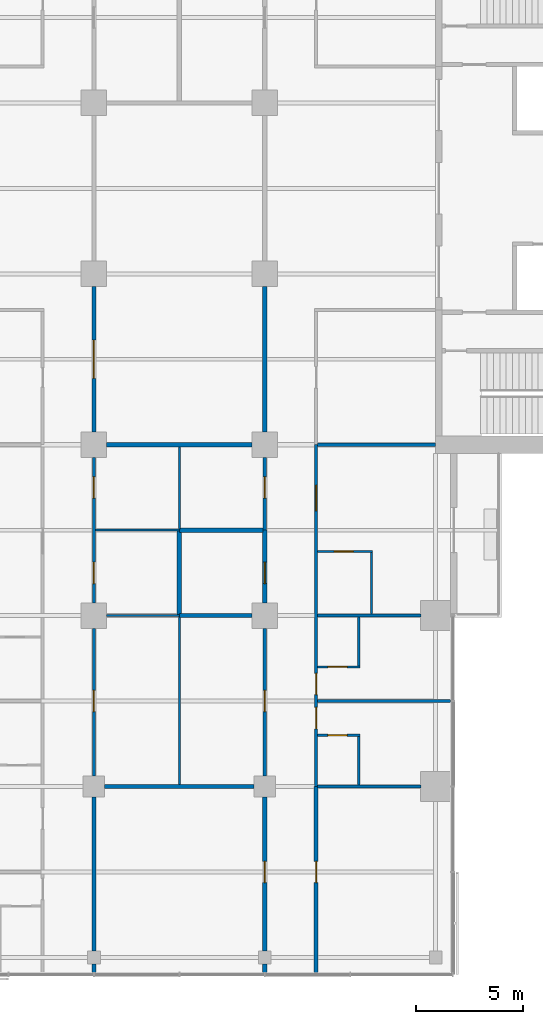
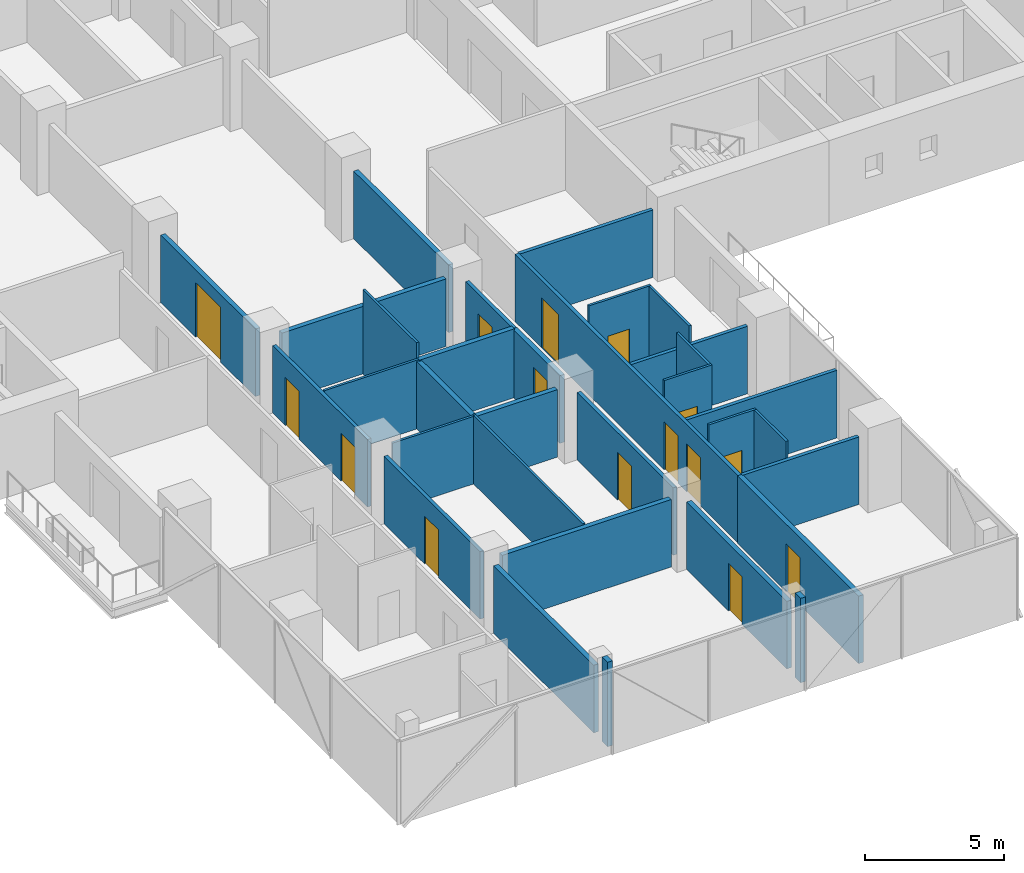
# One storey, part 16 of 27: 32 walls, 15 doors, 15 openings.
"""IFC4 building model written with IfcOpenShell, lengths in metres."""

from ifc_helpers import new_model, si_unit, direction, frame, frame_2d, origin, place, context, subcontext, project, spatial, rectangle, extrude, material, layer, layer_set, type_object, element, fill, save


model = new_model("IFC4")

# Units and contexts
model_context = context("Model", 3, precision=1e-05, world=origin(), true_north=direction((0.0, 1.0)))
body_context = subcontext(model_context, "Body", "Model", "MODEL_VIEW")
ifc_project = project(units=[si_unit("LENGTHUNIT", "METRE"), si_unit("AREAUNIT", "SQUARE_METRE"), si_unit("VOLUMEUNIT", "CUBIC_METRE"), si_unit("PLANEANGLEUNIT", "RADIAN"), si_unit("MASSUNIT", "GRAM", prefix="KILO")], contexts=[model_context])

# Site, building, storey
site_placement = place(None, origin())
site = spatial("IfcSite", under=ifc_project, at=site_placement, CompositionType="ELEMENT")
building_placement = place(site_placement, origin())
building = spatial("IfcBuilding", under=site, at=building_placement, Name="Crosswind Convention Tower", CompositionType="ELEMENT")
storey_placement = place(building_placement, frame((0.0, 0.0, 75.699951171875)))
storey = spatial("IfcBuildingStorey", under=building, at=storey_placement, Name="L13", CompositionType="ELEMENT", Elevation=75.699951171875)

# Walls
ifc_material_1 = material(Name="Concrete blockwork", Category="masonry")
ifc_layer_1 = layer(ifc_material_1, 0.199951171875)
ifc_layer_set_1 = layer_set([ifc_layer_1], Name="COMPARTMENT WALL 200")
wall_type_1 = type_object("IfcWallType", Name="COMPARTMENT WALL 200", PredefinedType="SOLIDWALL", material=ifc_layer_set_1)
wall_1_placement = place(storey_placement, frame((125.0, 80.0, 0.0), z_axis=(0.0, 0.0, 1.0), x_axis=(1.0, 0.0, 0.0)))
element("IfcWall", 1, at=wall_1_placement, inside=storey, type_object=wall_type_1, Name="Compartment Wall 12", PredefinedType="SOLIDWALL", context=body_context, shape_type="SweptSolid", body=[
    extrude(rectangle(XDim=3.39990234375, YDim=0.199951171875, at=frame_2d((1.699951171875, 0.0))), origin(), (0.0, 0.0, 1.0), 2.9599609375),
])
wall_2_placement = place(storey_placement, frame((125.0, 84.0, 0.0), z_axis=(0.0, 0.0, 1.0), x_axis=(1.0, 0.0, 0.0)))
element("IfcWall", 2, at=wall_2_placement, inside=storey, type_object=wall_type_1, Name="Compartment Wall 16", PredefinedType="SOLIDWALL", context=body_context, shape_type="SweptSolid", body=[
    extrude(rectangle(XDim=3.925048828125, YDim=0.199951171875, at=frame_2d((1.96240234375, 0.0))), origin(), (0.0, 0.0, 1.0), 3.013671875),
])
wall_3_placement = place(storey_placement, frame((125.0, 80.050048828125, 0.0), z_axis=(0.0, 0.0, 1.0), x_axis=(0.0, 1.0, 0.0)))
element("IfcWall", 3, at=wall_3_placement, inside=storey, type_object=wall_type_1, Name="Compartment Wall 91", PredefinedType="SOLIDWALL", context=body_context, shape_type="SweptSolid", body=[
    extrude(rectangle(XDim=3.89990234375, YDim=0.199951171875, at=frame_2d((1.949951171875, 0.0))), origin(), (0.0, 0.0, 1.0), 2.9599609375),
])

# Wall, opening, door
wall_4_placement = place(storey_placement, frame((129.0, 80.60009765625, 0.0), z_axis=(0.0, 0.0, 1.0), x_axis=(0.0, 1.0, 0.0)))
wall_4 = element("IfcWall", 4, at=wall_4_placement, inside=storey, type_object=wall_type_1, Name="Compartment Wall 99", PredefinedType="SOLIDWALL", context=body_context, shape_type="SweptSolid", body=[
    extrude(rectangle(XDim=3.39990234375, YDim=0.199951171875, at=frame_2d((1.699951171875, 0.0))), origin(), (0.0, 0.0, 1.0), 2.9599609375),
])
opening_1_placement = place(wall_4_placement, frame((0.89990234375, 0.0, 0.0)))
opening_1 = element("IfcOpeningElement", 5, at=opening_1_placement, cuts=wall_4, Name="Opening 13.053", PredefinedType="OPENING", context=body_context, shape_type="SweptSolid", body=[
    extrude(rectangle(XDim=1.0, YDim=2.199951171875, at=frame_2d((0.5, 1.10009765625))), frame((0.0, 0.10986328125, 0.0), z_axis=(0.0, -1.0, 0.0), x_axis=(1.0, 0.0, 0.0)), (0.0, 0.0, 1.0), 0.219970703125),
])
ifc_material_2 = material(Name="Steel fire door", Category="steel")
door_type_1 = type_object("IfcDoorType", Name="PLANT ROOM DOOR 1000X2200", OperationType="NOTDEFINED", PredefinedType="DOOR", material=ifc_material_2)
door_1_placement = place(opening_1_placement, origin())
door_1 = element("IfcDoor", 6, at=door_1_placement, inside=storey, type_object=door_type_1, Name="Door 13.053", ObjectType="D6", OperationType="SINGLE_SWING_LEFT", OverallHeight=2.199951171875, OverallWidth=1.0, PredefinedType="DOOR", context=body_context, shape_type="SweptSolid", body=[
    extrude(rectangle(XDim=1.0, YDim=2.199951171875, at=frame_2d((0.5, 1.10009765625))), frame((0.0, 0.02490234375, 0.0), z_axis=(0.0, -1.0, 0.0), x_axis=(1.0, 0.0, 0.0)), (0.0, 0.0, 1.0), 0.050048828125),
])
fill(opening_1, door_1)

ifc_material_3 = material(Name="Plasterboard partition", Category="gypsum")
ifc_layer_2 = layer(ifc_material_3, 0.14990234375)
ifc_layer_set_2 = layer_set([ifc_layer_2], Name="CORRIDOR WALL 150")
wall_type_2 = type_object("IfcWallType", Name="CORRIDOR WALL 150", PredefinedType="PARTITIONING", material=ifc_layer_set_2)
wall_5_placement = place(storey_placement, frame((121.0, 72.5, 0.0), z_axis=(0.0, 0.0, 1.0), x_axis=(0.0, 1.0, 0.0)))
wall_5 = element("IfcWall", 7, at=wall_5_placement, inside=storey, type_object=wall_type_2, Name="Corridor Wall 81", PredefinedType="PARTITIONING", context=body_context, shape_type="SweptSolid", body=[
    extrude(rectangle(XDim=6.89990234375, YDim=0.14990234375, at=frame_2d((3.449951171875, 0.0))), origin(), (0.0, 0.0, 1.0), 2.9599609375),
])
opening_2_placement = place(wall_5_placement, frame((3.0, 0.0, 0.0)))
opening_2 = element("IfcOpeningElement", 8, at=opening_2_placement, cuts=wall_5, Name="Opening 13.049", PredefinedType="OPENING", context=body_context, shape_type="SweptSolid", body=[
    extrude(rectangle(XDim=1.0, YDim=2.10009765625, at=frame_2d((0.5, 1.050048828125))), frame((0.0, 0.0849609375, 0.0), z_axis=(0.0, -1.0, 0.0), x_axis=(1.0, 0.0, 0.0)), (0.0, 0.0, 1.0), 0.169921875),
])
ifc_material_4 = material(Name="Timber fire door", Category="wood")
door_type_2 = type_object("IfcDoorType", Name="SERVICE ROOM DOOR 1000X2100", OperationType="NOTDEFINED", PredefinedType="DOOR", material=ifc_material_4)
door_2_placement = place(opening_2_placement, frame((1.0, 0.0, 0.0), z_axis=(0.0, 0.0, 1.0), x_axis=(-1.0, 0.0, 0.0)))
door_2 = element("IfcDoor", 9, at=door_2_placement, inside=storey, type_object=door_type_2, Name="Door 13.049", ObjectType="D3", OperationType="SINGLE_SWING_LEFT", OverallHeight=2.10009765625, OverallWidth=1.0, PredefinedType="DOOR", context=body_context, shape_type="SweptSolid", body=[
    extrude(rectangle(XDim=1.0, YDim=2.10009765625, at=frame_2d((0.5, 1.050048828125))), frame((0.0, 0.02490234375, 0.0), z_axis=(0.0, -1.0, 0.0), x_axis=(1.0, 0.0, 0.0)), (0.0, 0.0, 1.0), 0.050048828125),
])
fill(opening_2, door_2)

# Wall, openings, doors
wall_6_placement = place(storey_placement, frame((121.0, 80.60009765625, 0.0), z_axis=(0.0, 0.0, 1.0), x_axis=(0.0, 1.0, 0.0)))
wall_6 = element("IfcWall", 10, at=wall_6_placement, inside=storey, type_object=wall_type_2, Name="Corridor Wall 82", PredefinedType="PARTITIONING", context=body_context, shape_type="SweptSolid", body=[
    extrude(rectangle(XDim=6.7998046875, YDim=0.14990234375, at=frame_2d((3.39990234375, 0.0))), origin(), (0.0, 0.0, 1.0), 2.9599609375),
])
opening_3_placement = place(wall_6_placement, frame((0.89990234375, 0.0, 0.0)))
opening_3 = element("IfcOpeningElement", 11, at=opening_3_placement, cuts=wall_6, Name="Opening 13.051", PredefinedType="OPENING", context=body_context, shape_type="SweptSolid", body=[
    extrude(rectangle(XDim=1.0, YDim=2.10009765625, at=frame_2d((0.5, 1.050048828125))), frame((0.0, 0.0849609375, 0.0), z_axis=(0.0, -1.0, 0.0), x_axis=(1.0, 0.0, 0.0)), (0.0, 0.0, 1.0), 0.169921875),
])
opening_4_placement = place(wall_6_placement, frame((4.89990234375, 0.0, 0.0)))
opening_4 = element("IfcOpeningElement", 12, at=opening_4_placement, cuts=wall_6, Name="Opening 13.052", PredefinedType="OPENING", context=body_context, shape_type="SweptSolid", body=[
    extrude(rectangle(XDim=1.0, YDim=2.10009765625, at=frame_2d((0.5, 1.050048828125))), frame((0.0, 0.0849609375, 0.0), z_axis=(0.0, -1.0, 0.0), x_axis=(1.0, 0.0, 0.0)), (0.0, 0.0, 1.0), 0.169921875),
])
door_3_placement = place(opening_3_placement, frame((1.0, 0.0, 0.0), z_axis=(0.0, 0.0, 1.0), x_axis=(-1.0, 0.0, 0.0)))
door_3 = element("IfcDoor", 13, at=door_3_placement, inside=storey, type_object=door_type_2, Name="Door 13.051", ObjectType="D3", OperationType="SINGLE_SWING_RIGHT", OverallHeight=2.10009765625, OverallWidth=1.0, PredefinedType="DOOR", context=body_context, shape_type="SweptSolid", body=[
    extrude(rectangle(XDim=1.0, YDim=2.10009765625, at=frame_2d((0.5, 1.050048828125))), frame((0.0, 0.02490234375, 0.0), z_axis=(0.0, -1.0, 0.0), x_axis=(1.0, 0.0, 0.0)), (0.0, 0.0, 1.0), 0.050048828125),
])
fill(opening_3, door_3)
door_4_placement = place(opening_4_placement, frame((1.0, 0.0, 0.0), z_axis=(0.0, 0.0, 1.0), x_axis=(-1.0, 0.0, 0.0)))
door_4 = element("IfcDoor", 14, at=door_4_placement, inside=storey, type_object=door_type_2, Name="Door 13.052", ObjectType="D3", OperationType="SINGLE_SWING_LEFT", OverallHeight=2.10009765625, OverallWidth=1.0, PredefinedType="DOOR", context=body_context, shape_type="SweptSolid", body=[
    extrude(rectangle(XDim=1.0, YDim=2.10009765625, at=frame_2d((0.5, 1.050048828125))), frame((0.0, 0.02490234375, 0.0), z_axis=(0.0, -1.0, 0.0), x_axis=(1.0, 0.0, 0.0)), (0.0, 0.0, 1.0), 0.050048828125),
])
fill(opening_4, door_4)

# Wall, opening, door
wall_7_placement = place(storey_placement, frame((129.0, 72.5, 0.0), z_axis=(0.0, 0.0, 1.0), x_axis=(0.0, 1.0, 0.0)))
wall_7 = element("IfcWall", 15, at=wall_7_placement, inside=storey, type_object=wall_type_2, Name="Corridor Wall 98", PredefinedType="PARTITIONING", context=body_context, shape_type="SweptSolid", body=[
    extrude(rectangle(XDim=6.89990234375, YDim=0.14990234375, at=frame_2d((3.449951171875, 0.0))), origin(), (0.0, 0.0, 1.0), 2.9599609375),
])
opening_5_placement = place(wall_7_placement, frame((3.0, 0.0, 0.0)))
opening_5 = element("IfcOpeningElement", 16, at=opening_5_placement, cuts=wall_7, Name="Opening 13.050", PredefinedType="OPENING", context=body_context, shape_type="SweptSolid", body=[
    extrude(rectangle(XDim=1.0, YDim=2.10009765625, at=frame_2d((0.5, 1.050048828125))), frame((0.0, 0.0849609375, 0.0), z_axis=(0.0, -1.0, 0.0), x_axis=(1.0, 0.0, 0.0)), (0.0, 0.0, 1.0), 0.169921875),
])
door_5_placement = place(opening_5_placement, origin())
door_5 = element("IfcDoor", 17, at=door_5_placement, inside=storey, type_object=door_type_2, Name="Door 13.050", ObjectType="D3", OperationType="SINGLE_SWING_RIGHT", OverallHeight=2.10009765625, OverallWidth=1.0, PredefinedType="DOOR", context=body_context, shape_type="SweptSolid", body=[
    extrude(rectangle(XDim=1.0, YDim=2.10009765625, at=frame_2d((0.5, 1.050048828125))), frame((0.0, 0.02490234375, 0.0), z_axis=(0.0, -1.0, 0.0), x_axis=(1.0, 0.0, 0.0)), (0.0, 0.0, 1.0), 0.050048828125),
])
fill(opening_5, door_5)

wall_8_placement = place(storey_placement, frame((129.0, 84.0, 0.0), z_axis=(0.0, 0.0, 1.0), x_axis=(0.0, 1.0, 0.0)))
wall_8 = element("IfcWall", 18, at=wall_8_placement, inside=storey, type_object=wall_type_2, Name="Corridor Wall 100", PredefinedType="PARTITIONING", context=body_context, shape_type="SweptSolid", body=[
    extrude(rectangle(XDim=3.39990234375, YDim=0.14990234375, at=frame_2d((1.699951171875, 0.0))), origin(), (0.0, 0.0, 1.0), 2.9599609375),
])
opening_6_placement = place(wall_8_placement, frame((1.5, 0.0, 0.0)))
opening_6 = element("IfcOpeningElement", 19, at=opening_6_placement, cuts=wall_8, Name="Opening 13.054", PredefinedType="OPENING", context=body_context, shape_type="SweptSolid", body=[
    extrude(rectangle(XDim=1.0, YDim=2.10009765625, at=frame_2d((0.5, 1.050048828125))), frame((0.0, 0.0849609375, 0.0), z_axis=(0.0, -1.0, 0.0), x_axis=(1.0, 0.0, 0.0)), (0.0, 0.0, 1.0), 0.169921875),
])
door_6_placement = place(opening_6_placement, origin())
door_6 = element("IfcDoor", 20, at=door_6_placement, inside=storey, type_object=door_type_2, Name="Door 13.054", ObjectType="D3", OperationType="SINGLE_SWING_RIGHT", OverallHeight=2.10009765625, OverallWidth=1.0, PredefinedType="DOOR", context=body_context, shape_type="SweptSolid", body=[
    extrude(rectangle(XDim=1.0, YDim=2.10009765625, at=frame_2d((0.5, 1.050048828125))), frame((0.0, 0.02490234375, 0.0), z_axis=(0.0, -1.0, 0.0), x_axis=(1.0, 0.0, 0.0)), (0.0, 0.0, 1.0), 0.050048828125),
])
fill(opening_6, door_6)

# Walls
ifc_material_5 = material(Name="Acoustic plasterboard partition", Category="gypsum")
ifc_layer_3 = layer(ifc_material_5, 0.14990234375)
ifc_layer_set_3 = layer_set([ifc_layer_3], Name="GUEST ROOM WALL 150")
wall_type_3 = type_object("IfcWallType", Name="GUEST ROOM WALL 150", PredefinedType="PARTITIONING", material=ifc_layer_set_3)
wall_9_placement = place(storey_placement, frame((131.47509765625, 72.0, 0.0), z_axis=(0.0, 0.0, 1.0), x_axis=(1.0, 0.0, 0.0)))
element("IfcWall", 21, at=wall_9_placement, inside=storey, type_object=wall_type_3, Name="Guest Room Wall 4", PredefinedType="PARTITIONING", context=body_context, shape_type="SweptSolid", body=[
    extrude(rectangle(XDim=4.824951171875, YDim=0.14990234375, at=frame_2d((2.41259765625, 0.0))), origin(), (0.0, 0.0, 1.0), 2.9599609375),
])
wall_10_placement = place(storey_placement, frame((131.47509765625, 76.0, 0.0), z_axis=(0.0, 0.0, 1.0), x_axis=(1.0, 0.0, 0.0)))
element("IfcWall", 22, at=wall_10_placement, inside=storey, type_object=wall_type_3, Name="Guest Room Wall 8", PredefinedType="PARTITIONING", context=body_context, shape_type="SweptSolid", body=[
    extrude(rectangle(XDim=6.224853515625, YDim=0.14990234375, at=frame_2d((3.1123046875, 0.0))), origin(), (0.0, 0.0, 1.0), 2.962890625),
])
wall_11_placement = place(storey_placement, frame((131.47509765625, 80.0, 0.0), z_axis=(0.0, 0.0, 1.0), x_axis=(1.0, 0.0, 0.0)))
element("IfcWall", 23, at=wall_11_placement, inside=storey, type_object=wall_type_3, Name="Guest Room Wall 13", PredefinedType="PARTITIONING", context=body_context, shape_type="SweptSolid", body=[
    extrude(rectangle(XDim=4.824951171875, YDim=0.14990234375, at=frame_2d((2.41259765625, 0.0))), origin(), (0.0, 0.0, 1.0), 2.9599609375),
])
wall_12_placement = place(storey_placement, frame((131.47509765625, 88.0, 0.0), z_axis=(0.0, 0.0, 1.0), x_axis=(1.0, 0.0, 0.0)))
element("IfcWall", 24, at=wall_12_placement, inside=storey, type_object=wall_type_3, Name="Guest Room Wall 19", PredefinedType="PARTITIONING", context=body_context, shape_type="SweptSolid", body=[
    extrude(rectangle(XDim=5.52490234375, YDim=0.14990234375, at=frame_2d((2.762451171875, 0.0))), origin(), (0.0, 0.0, 1.0), 2.95654296875),
])

# Wall, openings, doors
wall_13_placement = place(storey_placement, frame((131.39990234375, 72.0, 0.0), z_axis=(0.0, 0.0, 1.0), x_axis=(0.0, 1.0, 0.0)))
wall_13 = element("IfcWall", 25, at=wall_13_placement, inside=storey, type_object=wall_type_3, Name="Guest Room Wall 109", PredefinedType="PARTITIONING", context=body_context, shape_type="SweptSolid", body=[
    extrude(rectangle(XDim=16.0, YDim=0.14990234375, at=frame_2d((8.0, 0.0))), origin(), (0.0, 0.0, 1.0), 2.95654296875),
])
opening_7_placement = place(wall_13_placement, frame((12.89990234375, 0.0, 0.0)))
opening_7 = element("IfcOpeningElement", 26, at=opening_7_placement, cuts=wall_13, Name="Opening 13.020", PredefinedType="OPENING", context=body_context, shape_type="SweptSolid", body=[
    extrude(rectangle(XDim=1.199951171875, YDim=2.199951171875, at=frame_2d((0.60009765625, 1.10009765625))), frame((0.0, 0.0849609375, 0.0), z_axis=(0.0, -1.0, 0.0), x_axis=(1.0, 0.0, 0.0)), (0.0, 0.0, 1.0), 0.169921875),
])
opening_8_placement = place(wall_13_placement, frame((4.300048828125, 0.0, 0.0)))
opening_8 = element("IfcOpeningElement", 27, at=opening_8_placement, cuts=wall_13, Name="Opening 13.022", PredefinedType="OPENING", context=body_context, shape_type="SweptSolid", body=[
    extrude(rectangle(XDim=1.0, YDim=2.10009765625, at=frame_2d((0.5, 1.050048828125))), frame((0.0, 0.0849609375, 0.0), z_axis=(0.0, -1.0, 0.0), x_axis=(1.0, 0.0, 0.0)), (0.0, 0.0, 1.0), 0.169921875),
])
opening_9_placement = place(wall_13_placement, frame((2.699951171875, 0.0, 0.0)))
opening_9 = element("IfcOpeningElement", 28, at=opening_9_placement, cuts=wall_13, Name="Opening 13.024", PredefinedType="OPENING", context=body_context, shape_type="SweptSolid", body=[
    extrude(rectangle(XDim=1.0, YDim=2.10009765625, at=frame_2d((0.5, 1.050048828125))), frame((0.0, 0.0849609375, 0.0), z_axis=(0.0, -1.0, 0.0), x_axis=(1.0, 0.0, 0.0)), (0.0, 0.0, 1.0), 0.169921875),
])
door_type_3 = type_object("IfcDoorType", Name="GUEST ROOM DOOR 1000X2100", OperationType="NOTDEFINED", PredefinedType="DOOR", material=ifc_material_4)
door_7_placement = place(opening_8_placement, frame((1.0, 0.0, 0.0), z_axis=(0.0, 0.0, 1.0), x_axis=(-1.0, 0.0, 0.0)))
door_7 = element("IfcDoor", 29, at=door_7_placement, inside=storey, type_object=door_type_3, Name="Door 13.022", ObjectType="D1", OperationType="SINGLE_SWING_LEFT", OverallHeight=2.10009765625, OverallWidth=1.0, PredefinedType="DOOR", context=body_context, shape_type="SweptSolid", body=[
    extrude(rectangle(XDim=1.0, YDim=2.10009765625, at=frame_2d((0.5, 1.050048828125))), frame((0.0, 0.02490234375, 0.0), z_axis=(0.0, -1.0, 0.0), x_axis=(1.0, 0.0, 0.0)), (0.0, 0.0, 1.0), 0.050048828125),
])
fill(opening_8, door_7)
door_8_placement = place(opening_9_placement, frame((1.0, 0.0, 0.0), z_axis=(0.0, 0.0, 1.0), x_axis=(-1.0, 0.0, 0.0)))
door_8 = element("IfcDoor", 30, at=door_8_placement, inside=storey, type_object=door_type_3, Name="Door 13.024", ObjectType="D1", OperationType="SINGLE_SWING_LEFT", OverallHeight=2.10009765625, OverallWidth=1.0, PredefinedType="DOOR", context=body_context, shape_type="SweptSolid", body=[
    extrude(rectangle(XDim=1.0, YDim=2.10009765625, at=frame_2d((0.5, 1.050048828125))), frame((0.0, 0.02490234375, 0.0), z_axis=(0.0, -1.0, 0.0), x_axis=(1.0, 0.0, 0.0)), (0.0, 0.0, 1.0), 0.050048828125),
])
fill(opening_9, door_8)
door_type_4 = type_object("IfcDoorType", Name="SUITE DOOR 1200X2200", OperationType="DOUBLE_DOOR_SINGLE_SWING", PredefinedType="DOOR", material=ifc_material_4)
door_9_placement = place(opening_7_placement, frame((1.199951171875, 0.0, 0.0), z_axis=(0.0, 0.0, 1.0), x_axis=(-1.0, 0.0, 0.0)))
door_9 = element("IfcDoor", 31, at=door_9_placement, inside=storey, type_object=door_type_4, Name="Door 13.020", ObjectType="D14", OperationType="DOUBLE_DOOR_SINGLE_SWING", OverallHeight=2.199951171875, OverallWidth=1.199951171875, PredefinedType="DOOR", context=body_context, shape_type="SweptSolid", body=[
    extrude(rectangle(XDim=1.199951171875, YDim=2.199951171875, at=frame_2d((0.60009765625, 1.10009765625))), frame((0.0, 0.02490234375, 0.0), z_axis=(0.0, -1.0, 0.0), x_axis=(1.0, 0.0, 0.0)), (0.0, 0.0, 1.0), 0.050048828125),
])
fill(opening_7, door_9)

# Walls
ifc_material_6 = material(Name="Double plasterboard partition", Category="gypsum")
ifc_layer_4 = layer(ifc_material_6, 0.199951171875)
ifc_layer_set_4 = layer_set([ifc_layer_4], Name="HALL WALL 200")
wall_type_4 = type_object("IfcWallType", Name="HALL WALL 200", PredefinedType="PARTITIONING", material=ifc_layer_set_4)
wall_14_placement = place(storey_placement, frame((121.5, 72.0, 0.0), z_axis=(0.0, 0.0, 1.0), x_axis=(1.0, 0.0, 0.0)))
element("IfcWall", 32, at=wall_14_placement, inside=storey, type_object=wall_type_4, Name="Hall Wall 3", PredefinedType="PARTITIONING", context=body_context, shape_type="SweptSolid", body=[
    extrude(rectangle(XDim=7.0, YDim=0.199951171875, at=frame_2d((3.5, 0.0))), origin(), (0.0, 0.0, 1.0), 2.9599609375),
])
wall_15_placement = place(storey_placement, frame((121.60009765625, 88.0, 0.0), z_axis=(0.0, 0.0, 1.0), x_axis=(1.0, 0.0, 0.0)))
element("IfcWall", 33, at=wall_15_placement, inside=storey, type_object=wall_type_4, Name="Hall Wall 18", PredefinedType="PARTITIONING", context=body_context, shape_type="SweptSolid", body=[
    extrude(rectangle(XDim=6.7998046875, YDim=0.199951171875, at=frame_2d((3.39990234375, 0.0))), origin(), (0.0, 0.0, 1.0), 2.9599609375),
])
wall_16_placement = place(storey_placement, frame((121.0, 63.300048828125, 0.0), z_axis=(0.0, 0.0, 1.0), x_axis=(0.0, 1.0, 0.0)))
element("IfcWall", 34, at=wall_16_placement, inside=storey, type_object=wall_type_4, Name="Hall Wall 79", PredefinedType="PARTITIONING", context=body_context, shape_type="SweptSolid", body=[
    extrude(rectangle(XDim=0.39990234375, YDim=0.199951171875, at=frame_2d((0.199951171875, 0.0))), origin(), (0.0, 0.0, 1.0), 3.699951171875),
])
wall_17_placement = place(storey_placement, frame((121.0, 64.300048828125, 0.0), z_axis=(0.0, 0.0, 1.0), x_axis=(0.0, 1.0, 0.0)))
element("IfcWall", 35, at=wall_17_placement, inside=storey, type_object=wall_type_4, Name="Hall Wall 80", PredefinedType="PARTITIONING", context=body_context, shape_type="SweptSolid", body=[
    extrude(rectangle(XDim=7.199951171875, YDim=0.199951171875, at=frame_2d((3.60009765625, 0.0))), origin(), (0.0, 0.0, 1.0), 2.9599609375),
])

# Wall, opening, door
wall_18_placement = place(storey_placement, frame((121.0, 88.60009765625, 0.0), z_axis=(0.0, 0.0, 1.0), x_axis=(0.0, 1.0, 0.0)))
wall_18 = element("IfcWall", 36, at=wall_18_placement, inside=storey, type_object=wall_type_4, Name="Hall Wall 83", PredefinedType="PARTITIONING", context=body_context, shape_type="SweptSolid", body=[
    extrude(rectangle(XDim=6.7998046875, YDim=0.199951171875, at=frame_2d((3.39990234375, 0.0))), origin(), (0.0, 0.0, 1.0), 2.9599609375),
])
opening_10_placement = place(wall_18_placement, frame((2.5, 0.0, 0.0)))
opening_10 = element("IfcOpeningElement", 37, at=opening_10_placement, cuts=wall_18, Name="Opening 13.055", PredefinedType="OPENING", context=body_context, shape_type="SweptSolid", body=[
    extrude(rectangle(XDim=1.800048828125, YDim=2.39990234375, at=frame_2d((0.89990234375, 1.199951171875))), frame((0.0, 0.10986328125, 0.0), z_axis=(0.0, -1.0, 0.0), x_axis=(1.0, 0.0, 0.0)), (0.0, 0.0, 1.0), 0.219970703125),
])
door_type_5 = type_object("IfcDoorType", Name="HALL DOUBLE DOOR 1800X2400", OperationType="DOUBLE_DOOR_SINGLE_SWING", PredefinedType="DOOR", material=ifc_material_4)
door_10_placement = place(opening_10_placement, origin())
door_10 = element("IfcDoor", 38, at=door_10_placement, inside=storey, type_object=door_type_5, Name="Door 13.055", ObjectType="D5", OperationType="DOUBLE_DOOR_SINGLE_SWING", OverallHeight=2.39990234375, OverallWidth=1.800048828125, PredefinedType="DOOR", context=body_context, shape_type="SweptSolid", body=[
    extrude(rectangle(XDim=1.800048828125, YDim=2.39990234375, at=frame_2d((0.89990234375, 1.199951171875))), frame((0.0, 0.02490234375, 0.0), z_axis=(0.0, -1.0, 0.0), x_axis=(1.0, 0.0, 0.0)), (0.0, 0.0, 1.0), 0.050048828125),
])
fill(opening_10, door_10)

# Wall
wall_19_placement = place(storey_placement, frame((129.0, 63.300048828125, 0.0), z_axis=(0.0, 0.0, 1.0), x_axis=(0.0, 1.0, 0.0)))
element("IfcWall", 39, at=wall_19_placement, inside=storey, type_object=wall_type_4, Name="Hall Wall 96", PredefinedType="PARTITIONING", context=body_context, shape_type="SweptSolid", body=[
    extrude(rectangle(XDim=0.39990234375, YDim=0.199951171875, at=frame_2d((0.199951171875, 0.0))), origin(), (0.0, 0.0, 1.0), 3.699951171875),
])

# Wall, opening, door
wall_20_placement = place(storey_placement, frame((129.0, 64.300048828125, 0.0), z_axis=(0.0, 0.0, 1.0), x_axis=(0.0, 1.0, 0.0)))
wall_20 = element("IfcWall", 40, at=wall_20_placement, inside=storey, type_object=wall_type_4, Name="Hall Wall 97", PredefinedType="PARTITIONING", context=body_context, shape_type="SweptSolid", body=[
    extrude(rectangle(XDim=7.199951171875, YDim=0.199951171875, at=frame_2d((3.60009765625, 0.0))), origin(), (0.0, 0.0, 1.0), 2.9599609375),
])
opening_11_placement = place(wall_20_placement, frame((3.199951171875, 0.0, 0.0)))
opening_11 = element("IfcOpeningElement", 41, at=opening_11_placement, cuts=wall_20, Name="Opening 13.048", PredefinedType="OPENING", context=body_context, shape_type="SweptSolid", body=[
    extrude(rectangle(XDim=1.0, YDim=2.10009765625, at=frame_2d((0.5, 1.050048828125))), frame((0.0, 0.10986328125, 0.0), z_axis=(0.0, -1.0, 0.0), x_axis=(1.0, 0.0, 0.0)), (0.0, 0.0, 1.0), 0.219970703125),
])
door_type_6 = type_object("IfcDoorType", Name="MEETING ROOM DOOR 1000X2100", OperationType="NOTDEFINED", PredefinedType="DOOR", material=ifc_material_4)
door_11_placement = place(opening_11_placement, frame((1.0, 0.0, 0.0), z_axis=(0.0, 0.0, 1.0), x_axis=(-1.0, 0.0, 0.0)))
door_11 = element("IfcDoor", 42, at=door_11_placement, inside=storey, type_object=door_type_6, Name="Door 13.048", ObjectType="D13", OperationType="SINGLE_SWING_LEFT", OverallHeight=2.10009765625, OverallWidth=1.0, PredefinedType="DOOR", context=body_context, shape_type="SweptSolid", body=[
    extrude(rectangle(XDim=1.0, YDim=2.10009765625, at=frame_2d((0.5, 1.050048828125))), frame((0.0, 0.02490234375, 0.0), z_axis=(0.0, -1.0, 0.0), x_axis=(1.0, 0.0, 0.0)), (0.0, 0.0, 1.0), 0.050048828125),
])
fill(opening_11, door_11)

# Wall
wall_21_placement = place(storey_placement, frame((129.0, 88.60009765625, 0.0), z_axis=(0.0, 0.0, 1.0), x_axis=(0.0, 1.0, 0.0)))
element("IfcWall", 43, at=wall_21_placement, inside=storey, type_object=wall_type_4, Name="Hall Wall 101", PredefinedType="PARTITIONING", context=body_context, shape_type="SweptSolid", body=[
    extrude(rectangle(XDim=6.7998046875, YDim=0.199951171875, at=frame_2d((3.39990234375, 0.0))), origin(), (0.0, 0.0, 1.0), 2.9599609375),
])

# Wall, opening, door
wall_22_placement = place(storey_placement, frame((131.39990234375, 63.300048828125, 0.0), z_axis=(0.0, 0.0, 1.0), x_axis=(0.0, 1.0, 0.0)))
wall_22 = element("IfcWall", 44, at=wall_22_placement, inside=storey, type_object=wall_type_4, Name="Hall Wall 108", PredefinedType="PARTITIONING", context=body_context, shape_type="SweptSolid", body=[
    extrude(rectangle(XDim=8.699951171875, YDim=0.199951171875, at=frame_2d((4.35009765625, 0.0))), origin(), (0.0, 0.0, 1.0), 2.9599609375),
])
opening_12_placement = place(wall_22_placement, frame((4.199951171875, 0.0, 0.0)))
opening_12 = element("IfcOpeningElement", 45, at=opening_12_placement, cuts=wall_22, Name="Opening 13.026", PredefinedType="OPENING", context=body_context, shape_type="SweptSolid", body=[
    extrude(rectangle(XDim=1.0, YDim=2.10009765625, at=frame_2d((0.5, 1.050048828125))), frame((0.0, 0.10986328125, 0.0), z_axis=(0.0, -1.0, 0.0), x_axis=(1.0, 0.0, 0.0)), (0.0, 0.0, 1.0), 0.219970703125),
])
door_12_placement = place(opening_12_placement, frame((1.0, 0.0, 0.0), z_axis=(0.0, 0.0, 1.0), x_axis=(-1.0, 0.0, 0.0)))
door_12 = element("IfcDoor", 46, at=door_12_placement, inside=storey, type_object=door_type_6, Name="Door 13.026", ObjectType="D13", OperationType="SINGLE_SWING_LEFT", OverallHeight=2.10009765625, OverallWidth=1.0, PredefinedType="DOOR", context=body_context, shape_type="SweptSolid", body=[
    extrude(rectangle(XDim=1.0, YDim=2.10009765625, at=frame_2d((0.5, 1.050048828125))), frame((0.0, 0.02490234375, 0.0), z_axis=(0.0, -1.0, 0.0), x_axis=(1.0, 0.0, 0.0)), (0.0, 0.0, 1.0), 0.050048828125),
])
fill(opening_12, door_12)

# Walls
ifc_layer_5 = layer(ifc_material_3, 0.10009765625)
ifc_layer_set_5 = layer_set([ifc_layer_5], Name="PARTITION 100")
wall_type_5 = type_object("IfcWallType", Name="PARTITION 100", PredefinedType="PARTITIONING", material=ifc_layer_set_5)
wall_23_placement = place(storey_placement, frame((121.60009765625, 80.0, 0.0), z_axis=(0.0, 0.0, 1.0), x_axis=(1.0, 0.0, 0.0)))
element("IfcWall", 47, at=wall_23_placement, inside=storey, type_object=wall_type_5, Name="Partition 11", PredefinedType="PARTITIONING", context=body_context, shape_type="SweptSolid", body=[
    extrude(rectangle(XDim=3.39990234375, YDim=0.10009765625, at=frame_2d((1.699951171875, 0.0))), origin(), (0.0, 0.0, 1.0), 2.9599609375),
])
wall_24_placement = place(storey_placement, frame((121.074951171875, 84.0, 0.0), z_axis=(0.0, 0.0, 1.0), x_axis=(1.0, 0.0, 0.0)))
element("IfcWall", 48, at=wall_24_placement, inside=storey, type_object=wall_type_5, Name="Partition 15", PredefinedType="PARTITIONING", context=body_context, shape_type="SweptSolid", body=[
    extrude(rectangle(XDim=3.925048828125, YDim=0.10009765625, at=frame_2d((1.96240234375, 0.0))), origin(), (0.0, 0.0, 1.0), 3.013671875),
])
wall_25_placement = place(storey_placement, frame((125.0, 72.10009765625, 0.0), z_axis=(0.0, 0.0, 1.0), x_axis=(0.0, 1.0, 0.0)))
element("IfcWall", 49, at=wall_25_placement, inside=storey, type_object=wall_type_5, Name="Partition 90", PredefinedType="PARTITIONING", context=body_context, shape_type="SweptSolid", body=[
    extrude(rectangle(XDim=7.849853515625, YDim=0.10009765625, at=frame_2d((3.9248046875, 0.0))), origin(), (0.0, 0.0, 1.0), 3.013671875),
])
wall_26_placement = place(storey_placement, frame((125.0, 84.050048828125, 0.0), z_axis=(0.0, 0.0, 1.0), x_axis=(0.0, 1.0, 0.0)))
element("IfcWall", 50, at=wall_26_placement, inside=storey, type_object=wall_type_5, Name="Partition 92", PredefinedType="PARTITIONING", context=body_context, shape_type="SweptSolid", body=[
    extrude(rectangle(XDim=3.849853515625, YDim=0.10009765625, at=frame_2d((1.9248046875, 0.0))), origin(), (0.0, 0.0, 1.0), 3.699951171875),
])

# Wall, opening, door
ifc_material_7 = material(Name="Water-resistant plasterboard partition", Category="gypsum")
ifc_layer_6 = layer(ifc_material_7, 0.10009765625)
ifc_layer_set_6 = layer_set([ifc_layer_6], Name="WET ROOM PARTITION 100")
wall_type_6 = type_object("IfcWallType", Name="WET ROOM PARTITION 100", PredefinedType="PLUMBINGWALL", material=ifc_layer_set_6)
wall_27_placement = place(storey_placement, frame((131.47509765625, 74.39990234375, 0.0), z_axis=(0.0, 0.0, 1.0), x_axis=(1.0, 0.0, 0.0)))
wall_27 = element("IfcWall", 51, at=wall_27_placement, inside=storey, type_object=wall_type_6, Name="Wet Room Partition 6", PredefinedType="PLUMBINGWALL", context=body_context, shape_type="SweptSolid", body=[
    extrude(rectangle(XDim=1.974853515625, YDim=0.10009765625, at=frame_2d((0.9873046875, 0.0))), origin(), (0.0, 0.0, 1.0), 3.699951171875),
])
opening_13_placement = place(wall_27_placement, frame((0.47509765625, 0.0, 0.0)))
opening_13 = element("IfcOpeningElement", 52, at=opening_13_placement, cuts=wall_27, Name="Opening 13.025", PredefinedType="OPENING", context=body_context, shape_type="SweptSolid", body=[
    extrude(rectangle(XDim=0.89990234375, YDim=2.10009765625, at=frame_2d((0.449951171875, 1.050048828125))), frame((0.0, 0.06005859375, 0.0), z_axis=(0.0, -1.0, 0.0), x_axis=(1.0, 0.0, 0.0)), (0.0, 0.0, 1.0), 0.1201171875),
])
ifc_material_8 = material(Name="Timber door", Category="wood")
door_type_7 = type_object("IfcDoorType", Name="EN-SUITE DOOR 900X2100", OperationType="NOTDEFINED", PredefinedType="DOOR", material=ifc_material_8)
door_13_placement = place(opening_13_placement, frame((0.89990234375, 0.0, 0.0), z_axis=(0.0, 0.0, 1.0), x_axis=(-1.0, 0.0, 0.0)))
door_13 = element("IfcDoor", 53, at=door_13_placement, inside=storey, type_object=door_type_7, Name="Door 13.025", ObjectType="D2", OperationType="SINGLE_SWING_LEFT", OverallHeight=2.10009765625, OverallWidth=0.89990234375, PredefinedType="DOOR", context=body_context, shape_type="SweptSolid", body=[
    extrude(rectangle(XDim=0.89990234375, YDim=2.10009765625, at=frame_2d((0.449951171875, 1.050048828125))), frame((0.0, 0.02490234375, 0.0), z_axis=(0.0, -1.0, 0.0), x_axis=(1.0, 0.0, 0.0)), (0.0, 0.0, 1.0), 0.050048828125),
])
fill(opening_13, door_13)

wall_28_placement = place(storey_placement, frame((131.47509765625, 77.60009765625, 0.0), z_axis=(0.0, 0.0, 1.0), x_axis=(1.0, 0.0, 0.0)))
wall_28 = element("IfcWall", 54, at=wall_28_placement, inside=storey, type_object=wall_type_6, Name="Wet Room Partition 9", PredefinedType="PLUMBINGWALL", context=body_context, shape_type="SweptSolid", body=[
    extrude(rectangle(XDim=1.974853515625, YDim=0.10009765625, at=frame_2d((0.9873046875, 0.0))), origin(), (0.0, 0.0, 1.0), 3.699951171875),
])
opening_14_placement = place(wall_28_placement, frame((0.47509765625, 0.0, 0.0)))
opening_14 = element("IfcOpeningElement", 55, at=opening_14_placement, cuts=wall_28, Name="Opening 13.023", PredefinedType="OPENING", context=body_context, shape_type="SweptSolid", body=[
    extrude(rectangle(XDim=0.89990234375, YDim=2.10009765625, at=frame_2d((0.449951171875, 1.050048828125))), frame((0.0, 0.06005859375, 0.0), z_axis=(0.0, -1.0, 0.0), x_axis=(1.0, 0.0, 0.0)), (0.0, 0.0, 1.0), 0.1201171875),
])
door_14_placement = place(opening_14_placement, origin())
door_14 = element("IfcDoor", 56, at=door_14_placement, inside=storey, type_object=door_type_7, Name="Door 13.023", ObjectType="D2", OperationType="SINGLE_SWING_RIGHT", OverallHeight=2.10009765625, OverallWidth=0.89990234375, PredefinedType="DOOR", context=body_context, shape_type="SweptSolid", body=[
    extrude(rectangle(XDim=0.89990234375, YDim=2.10009765625, at=frame_2d((0.449951171875, 1.050048828125))), frame((0.0, 0.02490234375, 0.0), z_axis=(0.0, -1.0, 0.0), x_axis=(1.0, 0.0, 0.0)), (0.0, 0.0, 1.0), 0.050048828125),
])
fill(opening_14, door_14)

wall_29_placement = place(storey_placement, frame((131.47509765625, 83.0, 0.0), z_axis=(0.0, 0.0, 1.0), x_axis=(1.0, 0.0, 0.0)))
wall_29 = element("IfcWall", 57, at=wall_29_placement, inside=storey, type_object=wall_type_6, Name="Wet Room Partition 14", PredefinedType="PLUMBINGWALL", context=body_context, shape_type="SweptSolid", body=[
    extrude(rectangle(XDim=2.574951171875, YDim=0.10009765625, at=frame_2d((1.28759765625, 0.0))), origin(), (0.0, 0.0, 1.0), 3.699951171875),
])
opening_15_placement = place(wall_29_placement, frame((0.77490234375, 0.0, 0.0)))
opening_15 = element("IfcOpeningElement", 58, at=opening_15_placement, cuts=wall_29, Name="Opening 13.021", PredefinedType="OPENING", context=body_context, shape_type="SweptSolid", body=[
    extrude(rectangle(XDim=0.89990234375, YDim=2.10009765625, at=frame_2d((0.449951171875, 1.050048828125))), frame((0.0, 0.06005859375, 0.0), z_axis=(0.0, -1.0, 0.0), x_axis=(1.0, 0.0, 0.0)), (0.0, 0.0, 1.0), 0.1201171875),
])
door_15_placement = place(opening_15_placement, frame((0.89990234375, 0.0, 0.0), z_axis=(0.0, 0.0, 1.0), x_axis=(-1.0, 0.0, 0.0)))
door_15 = element("IfcDoor", 59, at=door_15_placement, inside=storey, type_object=door_type_7, Name="Door 13.021", ObjectType="D2", OperationType="SINGLE_SWING_LEFT", OverallHeight=2.10009765625, OverallWidth=0.89990234375, PredefinedType="DOOR", context=body_context, shape_type="SweptSolid", body=[
    extrude(rectangle(XDim=0.89990234375, YDim=2.10009765625, at=frame_2d((0.449951171875, 1.050048828125))), frame((0.0, 0.02490234375, 0.0), z_axis=(0.0, -1.0, 0.0), x_axis=(1.0, 0.0, 0.0)), (0.0, 0.0, 1.0), 0.050048828125),
])
fill(opening_15, door_15)

# Walls
for number, where, z_axis, x_axis, name in (
    (60, (133.39990234375, 72.074951171875, 0.0), (0.0, 0.0, 1.0), (0.0, 1.0, 0.0), "Wet Room Partition 113"),
    (61, (133.39990234375, 77.64990234375, 0.0), (0.0, 0.0, 1.0), (0.0, 1.0, 0.0), "Wet Room Partition 114"),
):
    element("IfcWall", number, at=place(storey_placement, frame(where, z_axis=z_axis, x_axis=x_axis)), inside=storey, type_object=wall_type_6, Name=name, PredefinedType="PLUMBINGWALL", context=body_context, shape_type="SweptSolid", body=[
        extrude(rectangle(XDim=2.275146484375, YDim=0.10009765625, at=frame_2d((1.1376953125, 0.0))), origin(), (0.0, 0.0, 1.0), 3.699951171875),
    ])
wall_30_placement = place(storey_placement, frame((134.0, 80.074951171875, 0.0), z_axis=(0.0, 0.0, 1.0), x_axis=(0.0, 1.0, 0.0)))
element("IfcWall", 62, at=wall_30_placement, inside=storey, type_object=wall_type_6, Name="Wet Room Partition 118", PredefinedType="PLUMBINGWALL", context=body_context, shape_type="SweptSolid", body=[
    extrude(rectangle(XDim=2.875, YDim=0.10009765625, at=frame_2d((1.4375, 0.0))), origin(), (0.0, 0.0, 1.0), 3.699951171875),
])

save(model, "model.ifc")
